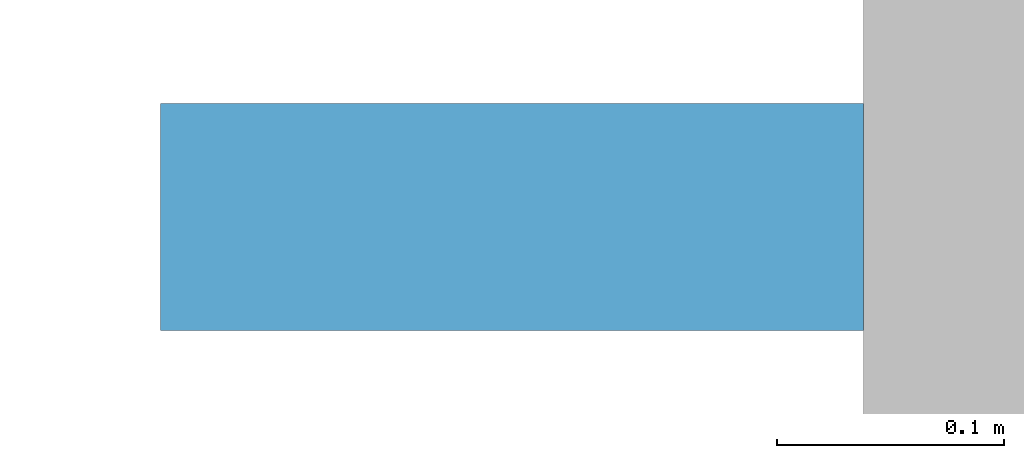
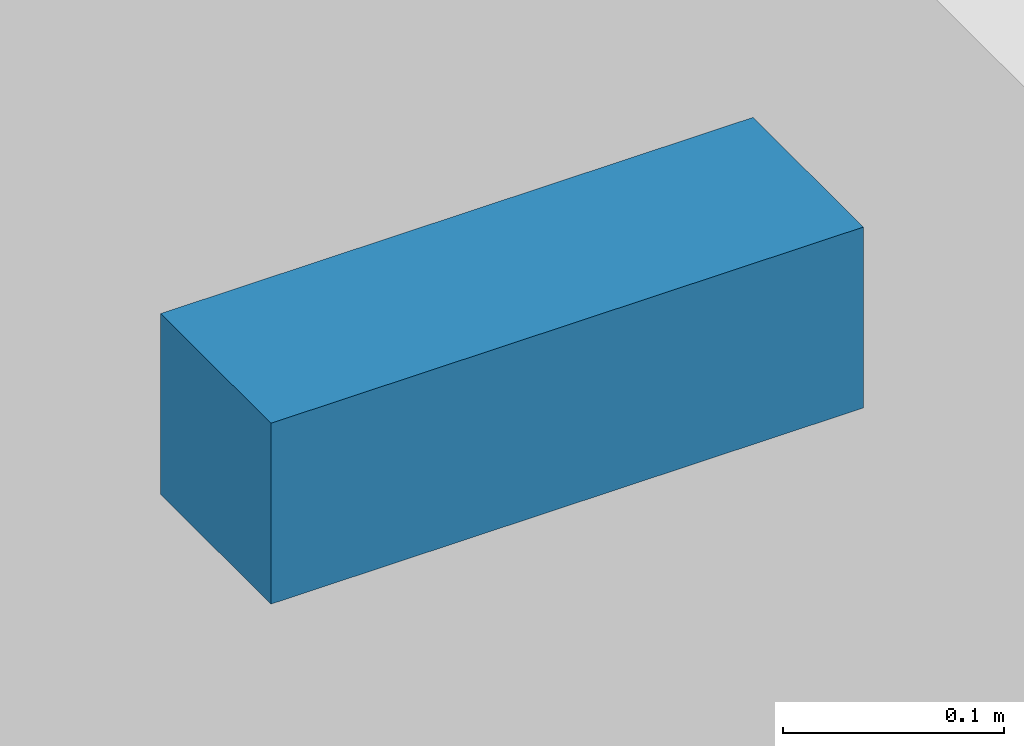
# One storey, part 95 of 123: 1 discrete accessory.
"""IFC4 building model written with IfcOpenShell, lengths in metres."""

from ifc_helpers import new_model, si_unit, direction, frame, origin, origin_2d, place, context, subcontext, project, spatial, rectangle, extrude, material, type_object, element, save


model = new_model("IFC4")

# Units and contexts
model_context = context("Model", 3, precision=1e-05, world=origin(), true_north=direction((0.0, 1.0)))
body_context = subcontext(model_context, "Body", "Model", "MODEL_VIEW")
ifc_project = project(units=[si_unit("LENGTHUNIT", "METRE"), si_unit("AREAUNIT", "SQUARE_METRE"), si_unit("VOLUMEUNIT", "CUBIC_METRE"), si_unit("PLANEANGLEUNIT", "RADIAN"), si_unit("MASSUNIT", "GRAM", prefix="KILO")], contexts=[model_context])

# Site, building, storey
site_placement = place(None, origin())
site = spatial("IfcSite", under=ifc_project, at=site_placement, CompositionType="ELEMENT")
building_placement = place(site_placement, origin())
building = spatial("IfcBuilding", under=site, at=building_placement, Name="Baradari Gate Terminus", CompositionType="ELEMENT")
storey_placement = place(building_placement, frame((0.0, 0.0, 7.5)))
storey = spatial("IfcBuildingStorey", under=building, at=storey_placement, Name="L01", CompositionType="ELEMENT", Elevation=7.5)

# Discrete accessory
ifc_material = material(Name="Steel S355", Category="steel")
discrete_accessory_type = type_object("IfcDiscreteAccessoryType", Name="Lift rail bracket RB-L1 100x100", PredefinedType="BRACKET", material=ifc_material)
discrete_accessory_placement = place(storey_placement, frame((137.2451171875, 83.14990234375, 3.25), z_axis=(0.0, 0.0, 1.0), x_axis=(1.0, 0.0, 0.0)))
element("IfcDiscreteAccessory", 1, at=discrete_accessory_placement, inside=storey, type_object=discrete_accessory_type, Name="Lift rail bracket LHL 2B", PredefinedType="BRACKET", context=body_context, shape_type="SweptSolid", body=[
    extrude(rectangle(XDim=0.31005859375, YDim=0.10009765625, at=origin_2d()), origin(), (0.0, 0.0, 1.0), 0.10009765625),
])

save(model, "model.ifc")
